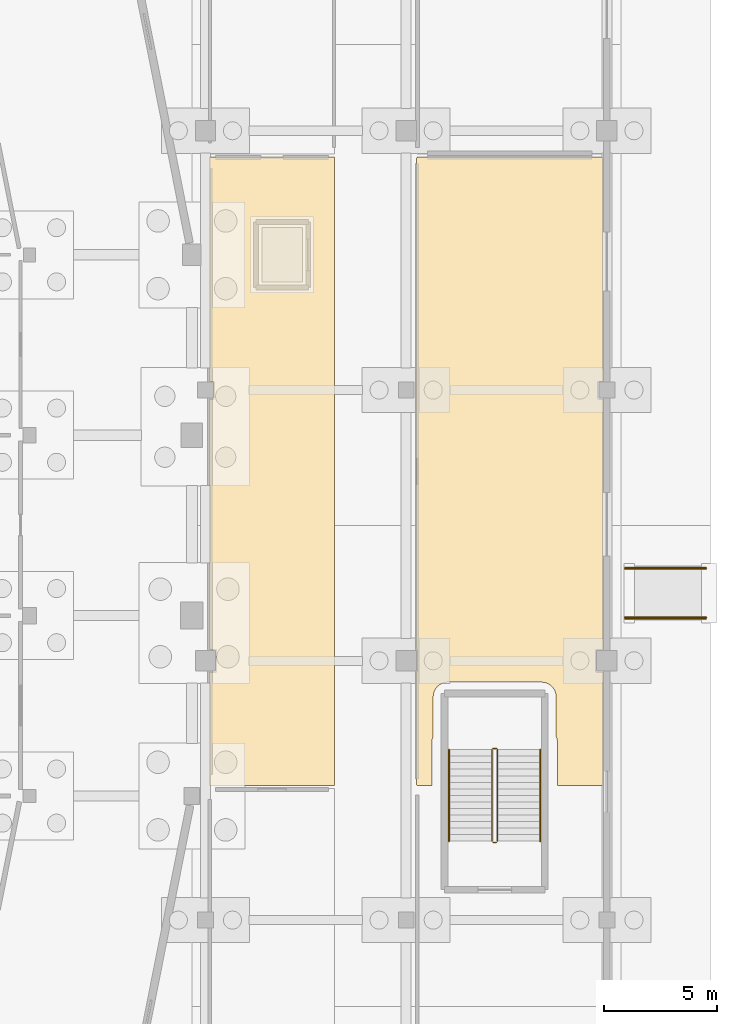
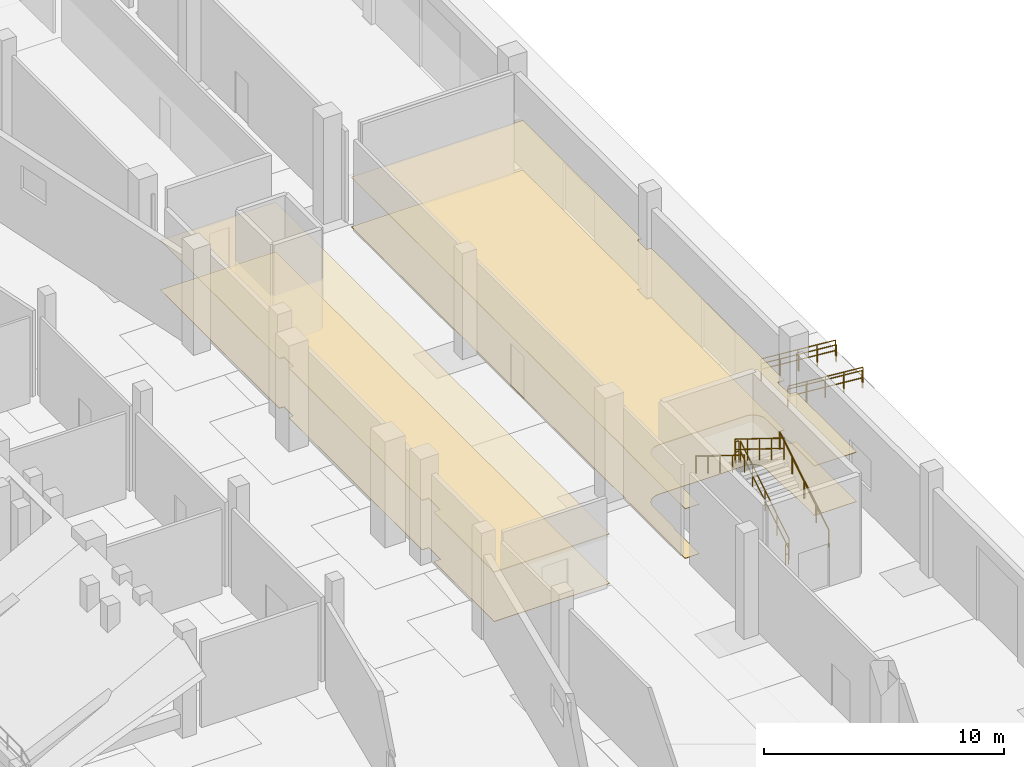
# One storey, part 61 of 68: 10 railings, 4 coverings.
"""IFC4 building model written with IfcOpenShell, lengths in metres."""

from ifc_helpers import new_model, si_unit, direction, frame, origin, origin_2d, place, context, subcontext, project, spatial, polyline, circle, outline, extrude, material, layer, layer_set, type_object, element, save


model = new_model("IFC4")

# Units and contexts
model_context = context("Model", 3, precision=1e-05, world=origin(), true_north=direction((0.0, 1.0)))
body_context = subcontext(model_context, "Body", "Model", "MODEL_VIEW")
ifc_project = project(units=[si_unit("LENGTHUNIT", "METRE"), si_unit("AREAUNIT", "SQUARE_METRE"), si_unit("VOLUMEUNIT", "CUBIC_METRE"), si_unit("PLANEANGLEUNIT", "RADIAN"), si_unit("MASSUNIT", "GRAM", prefix="KILO")], contexts=[model_context])

# Site, building, storey
site_placement = place(None, origin())
site = spatial("IfcSite", under=ifc_project, at=site_placement, CompositionType="ELEMENT")
building_placement = place(site_placement, origin())
building = spatial("IfcBuilding", under=site, at=building_placement, Name="Candeia Ridge Stadium", CompositionType="ELEMENT")
storey_placement = place(building_placement, origin())
storey = spatial("IfcBuildingStorey", under=building, at=storey_placement, Name="L00", CompositionType="ELEMENT", Elevation=0.0)

# Coverings
ifc_material_1 = material(Name="Perforated Acoustic Gypsum", Category="gypsum")
ifc_layer_1 = layer(ifc_material_1, 0.034912109375, Name="Perforated Acoustic Gypsum", Category="gypsum")
ifc_layer_set_1 = layer_set([ifc_layer_1], Name="Perforated Acoustic Gypsum")
covering_type_1 = type_object("IfcCoveringType", Name="Perforated Gypsum Acoustic Ceiling 35", PredefinedType="CEILING", material=ifc_layer_set_1)
covering_1_placement = place(storey_placement, frame((0.0, 0.0, 2.510009765625)))
element("IfcCovering", 1, at=covering_1_placement, inside=storey, type_object=covering_type_1, Name="Acoustic ceiling Indoor Sprint & Athlete Warm-Up Hall West Bay", PredefinedType="CEILING", context=body_context, shape_type="SweptSolid", body=[
    extrude(outline(polyline([(193.794189453125, 71.470703125), (193.791259765625, 71.47119140625), (193.78857421875, 71.472412109375), (193.785888671875, 71.473388671875), (193.783203125, 71.47509765625), (193.781005859375, 71.476806640625), (193.77880859375, 71.478759765625), (193.77685546875, 71.48095703125), (193.775146484375, 71.4833984375), (193.7734375, 71.48583984375), (193.772216796875, 71.488525390625), (193.771240234375, 71.4912109375), (193.7705078125, 71.494140625), (193.77001953125, 71.4970703125), (193.77001953125, 71.5), (193.77001953125, 76.510009765625), (194.090087890625, 76.510009765625), (194.090087890625, 77.489990234375), (193.77001953125, 77.489990234375), (193.77001953125, 88.610107421875), (193.989990234375, 88.610107421875), (193.989990234375, 89.389892578125), (193.77001953125, 89.389892578125), (193.77001953125, 99.300048828125), (193.77001953125, 99.302978515625), (193.7705078125, 99.305908203125), (193.771240234375, 99.30859375), (193.772216796875, 99.3115234375), (193.7734375, 99.314208984375), (193.775146484375, 99.316650390625), (193.77685546875, 99.319091796875), (193.77880859375, 99.3212890625), (193.781005859375, 99.3232421875), (193.783203125, 99.324951171875), (193.785888671875, 99.326416015625), (193.78857421875, 99.32763671875), (193.791259765625, 99.32861328125), (193.794189453125, 99.329345703125), (193.797119140625, 99.329833984375), (193.800048828125, 99.330078125), (199.300048828125, 99.330078125), (199.302978515625, 99.329833984375), (199.305908203125, 99.329345703125), (199.30859375, 99.32861328125), (199.3115234375, 99.32763671875), (199.314208984375, 99.326416015625), (199.316650390625, 99.324951171875), (199.319091796875, 99.3232421875), (199.3212890625, 99.3212890625), (199.3232421875, 99.319091796875), (199.324951171875, 99.316650390625), (199.326416015625, 99.314208984375), (199.32763671875, 99.3115234375), (199.32861328125, 99.30859375), (199.329345703125, 99.305908203125), (199.329833984375, 99.302978515625), (199.330078125, 99.300048828125), (199.330078125, 71.5), (199.329833984375, 71.4970703125), (199.329345703125, 71.494140625), (199.32861328125, 71.4912109375), (199.32763671875, 71.488525390625), (199.326416015625, 71.48583984375), (199.324951171875, 71.4833984375), (199.3232421875, 71.48095703125), (199.3212890625, 71.478759765625), (199.319091796875, 71.476806640625), (199.316650390625, 71.47509765625), (199.314208984375, 71.473388671875), (199.3115234375, 71.472412109375), (199.30859375, 71.47119140625), (199.305908203125, 71.470703125), (199.302978515625, 71.47021484375), (199.300048828125, 71.469970703125), (193.800048828125, 71.469970703125), (193.797119140625, 71.47021484375), (193.794189453125, 71.470703125)])), origin(), (0.0, 0.0, 1.0), 0.0400390625),
])
covering_2_placement = place(storey_placement, frame((0.0, 0.0, 2.510009765625)))
element("IfcCovering", 2, at=covering_2_placement, inside=storey, type_object=covering_type_1, Name="Acoustic ceiling Indoor Sprint & Athlete Warm-Up Hall", PredefinedType="CEILING", context=body_context, shape_type="SweptSolid", body=[
    extrude(outline(polyline([(202.994140625, 71.470703125), (202.9912109375, 71.47119140625), (202.988525390625, 71.472412109375), (202.98583984375, 71.473388671875), (202.9833984375, 71.47509765625), (202.98095703125, 71.476806640625), (202.978759765625, 71.478759765625), (202.976806640625, 71.48095703125), (202.97509765625, 71.4833984375), (202.973388671875, 71.48583984375), (202.972412109375, 71.488525390625), (202.97119140625, 71.4912109375), (202.970703125, 71.494140625), (202.97021484375, 71.4970703125), (202.969970703125, 71.5), (202.969970703125, 76.510009765625), (202.989990234375, 76.510009765625), (202.989990234375, 77.489990234375), (202.969970703125, 77.489990234375), (202.969970703125, 99.300048828125), (202.97021484375, 99.302978515625), (202.970703125, 99.305908203125), (202.97119140625, 99.30859375), (202.972412109375, 99.3115234375), (202.973388671875, 99.314208984375), (202.97509765625, 99.316650390625), (202.976806640625, 99.319091796875), (202.978759765625, 99.3212890625), (202.98095703125, 99.3232421875), (202.9833984375, 99.324951171875), (202.98583984375, 99.326416015625), (202.988525390625, 99.32763671875), (202.9912109375, 99.32861328125), (202.994140625, 99.329345703125), (202.9970703125, 99.329833984375), (203.0, 99.330078125), (211.199951171875, 99.330078125), (211.202880859375, 99.329833984375), (211.205810546875, 99.329345703125), (211.208740234375, 99.32861328125), (211.21142578125, 99.32763671875), (211.214111328125, 99.326416015625), (211.216796875, 99.324951171875), (211.218994140625, 99.3232421875), (211.22119140625, 99.3212890625), (211.22314453125, 99.319091796875), (211.224853515625, 99.316650390625), (211.2265625, 99.314208984375), (211.227783203125, 99.3115234375), (211.228759765625, 99.30859375), (211.2294921875, 99.305908203125), (211.22998046875, 99.302978515625), (211.22998046875, 99.300048828125), (211.22998046875, 89.389892578125), (211.010009765625, 89.389892578125), (211.010009765625, 88.610107421875), (211.22998046875, 88.610107421875), (211.22998046875, 77.489990234375), (210.909912109375, 77.489990234375), (210.909912109375, 76.510009765625), (211.22998046875, 76.510009765625), (211.22998046875, 71.5), (211.22998046875, 71.4970703125), (211.2294921875, 71.494140625), (211.228759765625, 71.4912109375), (211.227783203125, 71.488525390625), (211.2265625, 71.48583984375), (211.224853515625, 71.4833984375), (211.22314453125, 71.48095703125), (211.22119140625, 71.478759765625), (211.218994140625, 71.476806640625), (211.216796875, 71.47509765625), (211.214111328125, 71.473388671875), (211.21142578125, 71.472412109375), (211.208740234375, 71.47119140625), (211.205810546875, 71.470703125), (211.202880859375, 71.47021484375), (211.199951171875, 71.469970703125), (209.199951171875, 71.469970703125), (209.199951171875, 73.4599609375), (209.1982421875, 73.494384765625), (209.193359375, 73.5283203125), (209.184814453125, 73.5615234375), (209.17333984375, 73.593994140625), (209.15869140625, 73.625), (209.14990234375, 73.639404296875), (209.14990234375, 75.39990234375), (209.149658203125, 75.417236328125), (209.148193359375, 75.446533203125), (209.144775390625, 75.480712890625), (209.140380859375, 75.510009765625), (209.1337890625, 75.543701171875), (209.126708984375, 75.572021484375), (209.11669921875, 75.60498046875), (209.106689453125, 75.6328125), (209.093505859375, 75.664306640625), (209.0810546875, 75.691162109375), (209.064697265625, 75.721435546875), (209.049560546875, 75.74658203125), (209.030517578125, 75.775146484375), (209.012939453125, 75.798828125), (208.9912109375, 75.825439453125), (208.971435546875, 75.84716796875), (208.947265625, 75.87158203125), (208.92529296875, 75.89111328125), (208.898681640625, 75.9130859375), (208.875244140625, 75.9306640625), (208.8466796875, 75.94970703125), (208.8212890625, 75.96484375), (208.791015625, 75.98095703125), (208.764404296875, 75.99365234375), (208.732666015625, 76.006591796875), (208.705078125, 76.0166015625), (208.672119140625, 76.026611328125), (208.6435546875, 76.03369140625), (208.60986328125, 76.040283203125), (208.580810546875, 76.044921875), (208.546630859375, 76.048095703125), (208.51708984375, 76.049560546875), (208.5, 76.050048828125), (204.35009765625, 76.050048828125), (204.332763671875, 76.049560546875), (204.303466796875, 76.048095703125), (204.269287109375, 76.044921875), (204.239990234375, 76.040283203125), (204.206298828125, 76.03369140625), (204.177978515625, 76.026611328125), (204.14501953125, 76.0166015625), (204.1171875, 76.006591796875), (204.085693359375, 75.99365234375), (204.058837890625, 75.98095703125), (204.028564453125, 75.96484375), (204.00341796875, 75.94970703125), (203.974853515625, 75.9306640625), (203.951171875, 75.9130859375), (203.924560546875, 75.89111328125), (203.90283203125, 75.87158203125), (203.87841796875, 75.84716796875), (203.85888671875, 75.825439453125), (203.8369140625, 75.798828125), (203.8193359375, 75.775146484375), (203.80029296875, 75.74658203125), (203.78515625, 75.721435546875), (203.76904296875, 75.691162109375), (203.75634765625, 75.664306640625), (203.743408203125, 75.6328125), (203.7333984375, 75.60498046875), (203.723388671875, 75.572021484375), (203.71630859375, 75.543701171875), (203.709716796875, 75.510009765625), (203.705078125, 75.480712890625), (203.701904296875, 75.446533203125), (203.700439453125, 75.417236328125), (203.699951171875, 75.39990234375), (203.699951171875, 73.639404296875), (203.69140625, 73.625), (203.676513671875, 73.593994140625), (203.6650390625, 73.5615234375), (203.65673828125, 73.5283203125), (203.651611328125, 73.494384765625), (203.64990234375, 73.4599609375), (203.64990234375, 71.469970703125), (203.0, 71.469970703125), (202.9970703125, 71.47021484375), (202.994140625, 71.470703125)])), origin(), (0.0, 0.0, 1.0), 0.0400390625),
])
ifc_material_2 = material(Name="Vulcanized EPDM Sports Flooring", Category="wood")
ifc_layer_2 = layer(ifc_material_2, 0.02001953125, Name="Vulcanized EPDM Sports Flooring", Category="wood")
ifc_layer_set_2 = layer_set([ifc_layer_2], Name="Vulcanized EPDM Sports Flooring")
covering_type_2 = type_object("IfcCoveringType", Name="Sports Rubber Athlete Flooring 20", PredefinedType="FLOORING", material=ifc_layer_set_2)
covering_3_placement = place(storey_placement, origin())
element("IfcCovering", 3, at=covering_3_placement, inside=storey, type_object=covering_type_2, Name="Interior finish flooring Indoor Sprint & Athlete Warm-Up Hall West Bay", PredefinedType="FLOORING", context=body_context, shape_type="SweptSolid", body=[
    extrude(outline(polyline([(193.794189453125, 71.470703125), (193.791259765625, 71.47119140625), (193.78857421875, 71.472412109375), (193.785888671875, 71.473388671875), (193.783203125, 71.47509765625), (193.781005859375, 71.476806640625), (193.77880859375, 71.478759765625), (193.77685546875, 71.48095703125), (193.775146484375, 71.4833984375), (193.7734375, 71.48583984375), (193.772216796875, 71.488525390625), (193.771240234375, 71.4912109375), (193.7705078125, 71.494140625), (193.77001953125, 71.4970703125), (193.77001953125, 71.5), (193.77001953125, 76.510009765625), (194.090087890625, 76.510009765625), (194.090087890625, 77.489990234375), (193.77001953125, 77.489990234375), (193.77001953125, 88.610107421875), (193.989990234375, 88.610107421875), (193.989990234375, 89.389892578125), (193.77001953125, 89.389892578125), (193.77001953125, 99.300048828125), (193.77001953125, 99.302978515625), (193.7705078125, 99.305908203125), (193.771240234375, 99.30859375), (193.772216796875, 99.3115234375), (193.7734375, 99.314208984375), (193.775146484375, 99.316650390625), (193.77685546875, 99.319091796875), (193.77880859375, 99.3212890625), (193.781005859375, 99.3232421875), (193.783203125, 99.324951171875), (193.785888671875, 99.326416015625), (193.78857421875, 99.32763671875), (193.791259765625, 99.32861328125), (193.794189453125, 99.329345703125), (193.797119140625, 99.329833984375), (193.800048828125, 99.330078125), (199.300048828125, 99.330078125), (199.302978515625, 99.329833984375), (199.305908203125, 99.329345703125), (199.30859375, 99.32861328125), (199.3115234375, 99.32763671875), (199.314208984375, 99.326416015625), (199.316650390625, 99.324951171875), (199.319091796875, 99.3232421875), (199.3212890625, 99.3212890625), (199.3232421875, 99.319091796875), (199.324951171875, 99.316650390625), (199.326416015625, 99.314208984375), (199.32763671875, 99.3115234375), (199.32861328125, 99.30859375), (199.329345703125, 99.305908203125), (199.329833984375, 99.302978515625), (199.330078125, 99.300048828125), (199.330078125, 71.5), (199.329833984375, 71.4970703125), (199.329345703125, 71.494140625), (199.32861328125, 71.4912109375), (199.32763671875, 71.488525390625), (199.326416015625, 71.48583984375), (199.324951171875, 71.4833984375), (199.3232421875, 71.48095703125), (199.3212890625, 71.478759765625), (199.319091796875, 71.476806640625), (199.316650390625, 71.47509765625), (199.314208984375, 71.473388671875), (199.3115234375, 71.472412109375), (199.30859375, 71.47119140625), (199.305908203125, 71.470703125), (199.302978515625, 71.47021484375), (199.300048828125, 71.469970703125), (193.800048828125, 71.469970703125), (193.797119140625, 71.47021484375), (193.794189453125, 71.470703125)])), origin(), (0.0, 0.0, 1.0), 0.02001953125),
])
covering_4_placement = place(storey_placement, origin())
element("IfcCovering", 4, at=covering_4_placement, inside=storey, type_object=covering_type_2, Name="Interior finish flooring Indoor Sprint & Athlete Warm-Up Hall", PredefinedType="FLOORING", context=body_context, shape_type="SweptSolid", body=[
    extrude(outline(polyline([(202.994140625, 71.470703125), (202.9912109375, 71.47119140625), (202.988525390625, 71.472412109375), (202.98583984375, 71.473388671875), (202.9833984375, 71.47509765625), (202.98095703125, 71.476806640625), (202.978759765625, 71.478759765625), (202.976806640625, 71.48095703125), (202.97509765625, 71.4833984375), (202.973388671875, 71.48583984375), (202.972412109375, 71.488525390625), (202.97119140625, 71.4912109375), (202.970703125, 71.494140625), (202.97021484375, 71.4970703125), (202.969970703125, 71.5), (202.969970703125, 76.510009765625), (202.989990234375, 76.510009765625), (202.989990234375, 77.489990234375), (202.969970703125, 77.489990234375), (202.969970703125, 99.300048828125), (202.97021484375, 99.302978515625), (202.970703125, 99.305908203125), (202.97119140625, 99.30859375), (202.972412109375, 99.3115234375), (202.973388671875, 99.314208984375), (202.97509765625, 99.316650390625), (202.976806640625, 99.319091796875), (202.978759765625, 99.3212890625), (202.98095703125, 99.3232421875), (202.9833984375, 99.324951171875), (202.98583984375, 99.326416015625), (202.988525390625, 99.32763671875), (202.9912109375, 99.32861328125), (202.994140625, 99.329345703125), (202.9970703125, 99.329833984375), (203.0, 99.330078125), (211.199951171875, 99.330078125), (211.202880859375, 99.329833984375), (211.205810546875, 99.329345703125), (211.208740234375, 99.32861328125), (211.21142578125, 99.32763671875), (211.214111328125, 99.326416015625), (211.216796875, 99.324951171875), (211.218994140625, 99.3232421875), (211.22119140625, 99.3212890625), (211.22314453125, 99.319091796875), (211.224853515625, 99.316650390625), (211.2265625, 99.314208984375), (211.227783203125, 99.3115234375), (211.228759765625, 99.30859375), (211.2294921875, 99.305908203125), (211.22998046875, 99.302978515625), (211.22998046875, 99.300048828125), (211.22998046875, 89.389892578125), (211.010009765625, 89.389892578125), (211.010009765625, 88.610107421875), (211.22998046875, 88.610107421875), (211.22998046875, 77.489990234375), (210.909912109375, 77.489990234375), (210.909912109375, 76.510009765625), (211.22998046875, 76.510009765625), (211.22998046875, 71.5), (211.22998046875, 71.4970703125), (211.2294921875, 71.494140625), (211.228759765625, 71.4912109375), (211.227783203125, 71.488525390625), (211.2265625, 71.48583984375), (211.224853515625, 71.4833984375), (211.22314453125, 71.48095703125), (211.22119140625, 71.478759765625), (211.218994140625, 71.476806640625), (211.216796875, 71.47509765625), (211.214111328125, 71.473388671875), (211.21142578125, 71.472412109375), (211.208740234375, 71.47119140625), (211.205810546875, 71.470703125), (211.202880859375, 71.47021484375), (211.199951171875, 71.469970703125), (209.199951171875, 71.469970703125), (209.199951171875, 73.4599609375), (209.1982421875, 73.494384765625), (209.193359375, 73.5283203125), (209.184814453125, 73.5615234375), (209.17333984375, 73.593994140625), (209.15869140625, 73.625), (209.14990234375, 73.639404296875), (209.14990234375, 75.39990234375), (209.149658203125, 75.417236328125), (209.148193359375, 75.446533203125), (209.144775390625, 75.480712890625), (209.140380859375, 75.510009765625), (209.1337890625, 75.543701171875), (209.126708984375, 75.572021484375), (209.11669921875, 75.60498046875), (209.106689453125, 75.6328125), (209.093505859375, 75.664306640625), (209.0810546875, 75.691162109375), (209.064697265625, 75.721435546875), (209.049560546875, 75.74658203125), (209.030517578125, 75.775146484375), (209.012939453125, 75.798828125), (208.9912109375, 75.825439453125), (208.971435546875, 75.84716796875), (208.947265625, 75.87158203125), (208.92529296875, 75.89111328125), (208.898681640625, 75.9130859375), (208.875244140625, 75.9306640625), (208.8466796875, 75.94970703125), (208.8212890625, 75.96484375), (208.791015625, 75.98095703125), (208.764404296875, 75.99365234375), (208.732666015625, 76.006591796875), (208.705078125, 76.0166015625), (208.672119140625, 76.026611328125), (208.6435546875, 76.03369140625), (208.60986328125, 76.040283203125), (208.580810546875, 76.044921875), (208.546630859375, 76.048095703125), (208.51708984375, 76.049560546875), (208.5, 76.050048828125), (204.35009765625, 76.050048828125), (204.332763671875, 76.049560546875), (204.303466796875, 76.048095703125), (204.269287109375, 76.044921875), (204.239990234375, 76.040283203125), (204.206298828125, 76.03369140625), (204.177978515625, 76.026611328125), (204.14501953125, 76.0166015625), (204.1171875, 76.006591796875), (204.085693359375, 75.99365234375), (204.058837890625, 75.98095703125), (204.028564453125, 75.96484375), (204.00341796875, 75.94970703125), (203.974853515625, 75.9306640625), (203.951171875, 75.9130859375), (203.924560546875, 75.89111328125), (203.90283203125, 75.87158203125), (203.87841796875, 75.84716796875), (203.85888671875, 75.825439453125), (203.8369140625, 75.798828125), (203.8193359375, 75.775146484375), (203.80029296875, 75.74658203125), (203.78515625, 75.721435546875), (203.76904296875, 75.691162109375), (203.75634765625, 75.664306640625), (203.743408203125, 75.6328125), (203.7333984375, 75.60498046875), (203.723388671875, 75.572021484375), (203.71630859375, 75.543701171875), (203.709716796875, 75.510009765625), (203.705078125, 75.480712890625), (203.701904296875, 75.446533203125), (203.700439453125, 75.417236328125), (203.699951171875, 75.39990234375), (203.699951171875, 73.639404296875), (203.69140625, 73.625), (203.676513671875, 73.593994140625), (203.6650390625, 73.5615234375), (203.65673828125, 73.5283203125), (203.651611328125, 73.494384765625), (203.64990234375, 73.4599609375), (203.64990234375, 71.469970703125), (203.0, 71.469970703125), (202.9970703125, 71.47021484375), (202.994140625, 71.470703125)])), origin(), (0.0, 0.0, 1.0), 0.02001953125),
])

# Railings
ifc_material_3 = material(Name="Brushed Stainless Steel", Category="steel")
ifc_layer_3 = layer(ifc_material_3, 0.048095703125, Name="Brushed Stainless Steel", Category="steel")
ifc_layer_set_3 = layer_set([ifc_layer_3], Name="Brushed Stainless Steel")
railing_type_1 = type_object("IfcRailingType", Name="Stair Wall & Flight Handrail 900", PredefinedType="HANDRAIL", material=ifc_layer_set_3)
for number, where, name in (
    (5, (215.800048828125, 81.080078125, -0.300048828125), "Accessible ramp handrail RMP-E1-L"),
    (6, (215.800048828125, 78.919921875, -0.300048828125), "Accessible ramp handrail RMP-E1-R"),
):
    element("IfcRailing", number, at=place(storey_placement, frame(where)), inside=storey, type_object=railing_type_1, Name=name, PredefinedType="HANDRAIL", context=body_context, shape_type="SweptSolid", body=[
        extrude(circle(Radius=0.02392578125, at=origin_2d()), frame((0.0, 0.0, 0.8759765625), z_axis=(-0.996544826035, 0.0, 0.083056665618), x_axis=(0.0, -1.0, 0.0)), (0.0, 0.0, 1.0), 3.612548828125),
        extrude(circle(Radius=0.02099609375, at=origin_2d()), origin(), (0.0, 0.0, 1.0), 0.851806640625),
        extrude(circle(Radius=0.02099609375, at=origin_2d()), frame((-0.89990234375, 0.0, 0.074951171875)), (0.0, 0.0, 1.0), 0.851806640625),
        extrude(circle(Radius=0.02099609375, at=origin_2d()), frame((-1.800048828125, 0.0, 0.14990234375)), (0.0, 0.0, 1.0), 0.851806640625),
        extrude(circle(Radius=0.02099609375, at=origin_2d()), frame((-2.7001953125, 0.0, 0.22509765625)), (0.0, 0.0, 1.0), 0.851806640625),
        extrude(circle(Radius=0.02099609375, at=origin_2d()), frame((-3.60009765625, 0.0, 0.300048828125)), (0.0, 0.0, 1.0), 0.851806640625),
    ])
railing_1_placement = place(storey_placement, frame((208.449951171875, 69.0, 0.179931640625)))
element("IfcRailing", 7, at=railing_1_placement, inside=storey, type_object=railing_type_1, Name="L00 ST16 stair handrail 1", PredefinedType="HANDRAIL", context=body_context, shape_type="SweptSolid", body=[
    extrude(circle(Radius=0.02392578125, at=origin_2d()), frame((0.0, 0.0, 0.8759765625), z_axis=(0.0, 0.849641744969, 0.527360318194), x_axis=(-1.0, 0.0, 0.0)), (0.0, 0.0, 1.0), 4.778564453125),
    extrude(circle(Radius=0.02099609375, at=origin_2d()), origin(), (0.0, 0.0, 1.0), 0.851806640625),
    extrude(circle(Radius=0.02099609375, at=origin_2d()), frame((0.0, 1.01513671875, 0.6298828125)), (0.0, 0.0, 1.0), 0.851806640625),
    extrude(circle(Radius=0.02099609375, at=origin_2d()), frame((0.0, 2.030029296875, 1.260009765625)), (0.0, 0.0, 1.0), 0.851806640625),
    extrude(circle(Radius=0.02099609375, at=origin_2d()), frame((0.0, 3.044921875, 1.89013671875)), (0.0, 0.0, 1.0), 0.851806640625),
    extrude(circle(Radius=0.02099609375, at=origin_2d()), frame((0.0, 4.06005859375, 2.52001953125)), (0.0, 0.0, 1.0), 0.851806640625),
])
railing_2_placement = place(storey_placement, frame((204.39990234375, 73.06005859375, 2.8798828125)))
element("IfcRailing", 8, at=railing_2_placement, inside=storey, type_object=railing_type_1, Name="L00 ST16 stair handrail 2", PredefinedType="HANDRAIL", context=body_context, shape_type="SweptSolid", body=[
    extrude(circle(Radius=0.02392578125, at=origin_2d()), frame((0.0, 0.0, 0.8759765625), z_axis=(0.0, -0.849641744969, 0.527360318194), x_axis=(1.0, 0.0, 0.0)), (0.0, 0.0, 1.0), 4.778564453125),
    extrude(circle(Radius=0.02099609375, at=origin_2d()), origin(), (0.0, 0.0, 1.0), 0.851806640625),
    extrude(circle(Radius=0.02099609375, at=origin_2d()), frame((0.0, -1.01513671875, 0.6298828125)), (0.0, 0.0, 1.0), 0.851806640625),
    extrude(circle(Radius=0.02099609375, at=origin_2d()), frame((0.0, -2.030029296875, 1.260009765625)), (0.0, 0.0, 1.0), 0.851806640625),
    extrude(circle(Radius=0.02099609375, at=origin_2d()), frame((0.0, -3.044921875, 1.89013671875)), (0.0, 0.0, 1.0), 0.851806640625),
    extrude(circle(Radius=0.02099609375, at=origin_2d()), frame((0.0, -4.06005859375, 2.52001953125)), (0.0, 0.0, 1.0), 0.851806640625),
])
ifc_material_4 = material(Name="Galvanized Powder-Coated Steel", Category="steel")
ifc_layer_4 = layer(ifc_material_4, 0.06005859375, Name="Galvanized Powder-Coated Steel", Category="steel")
ifc_layer_set_4 = layer_set([ifc_layer_4], Name="Galvanized Powder-Coated Steel")
railing_type_2 = type_object("IfcRailingType", Name="Stair Well Guardrail 1100", PredefinedType="GUARDRAIL", material=ifc_layer_set_4)
railing_3_placement = place(storey_placement, frame((206.550048828125, 69.0, 0.179931640625)))
element("IfcRailing", 9, at=railing_3_placement, inside=storey, type_object=railing_type_2, Name="L00 ST16 stair guard 1", PredefinedType="GUARDRAIL", context=body_context, shape_type="SweptSolid", body=[
    extrude(circle(Radius=0.02392578125, at=origin_2d()), frame((0.0, 0.0, 1.076171875), z_axis=(0.0, 0.849641744969, 0.527360318194), x_axis=(-1.0, 0.0, 0.0)), (0.0, 0.0, 1.0), 4.778564453125),
    extrude(circle(Radius=0.02392578125, at=origin_2d()), frame((0.0, 0.0, 0.550048828125), z_axis=(0.0, 0.849641744969, 0.527360318194), x_axis=(-1.0, 0.0, 0.0)), (0.0, 0.0, 1.0), 4.778564453125),
    extrude(circle(Radius=0.02099609375, at=origin_2d()), origin(), (0.0, 0.0, 1.0), 1.052001953125),
    extrude(circle(Radius=0.02099609375, at=origin_2d()), frame((0.0, 1.01513671875, 0.6298828125)), (0.0, 0.0, 1.0), 1.052001953125),
    extrude(circle(Radius=0.02099609375, at=origin_2d()), frame((0.0, 2.030029296875, 1.260009765625)), (0.0, 0.0, 1.0), 1.052001953125),
    extrude(circle(Radius=0.02099609375, at=origin_2d()), frame((0.0, 3.044921875, 1.89013671875)), (0.0, 0.0, 1.0), 1.052001953125),
    extrude(circle(Radius=0.02099609375, at=origin_2d()), frame((0.0, 4.06005859375, 2.52001953125)), (0.0, 0.0, 1.0), 1.052001953125),
])
railing_4_placement = place(storey_placement, frame((206.5, 73.110107421875, 2.699951171875)))
element("IfcRailing", 10, at=railing_4_placement, inside=storey, type_object=railing_type_2, Name="L00 ST16 stair guard 2", PredefinedType="GUARDRAIL", context=body_context, shape_type="SweptSolid", body=[
    extrude(circle(Radius=0.02392578125, at=origin_2d()), frame((0.0, 0.0, 1.076171875), z_axis=(-1.0, 0.0, 0.0), x_axis=(0.0, -1.0, 0.0)), (0.0, 0.0, 1.0), 0.14990234375),
    extrude(circle(Radius=0.02392578125, at=origin_2d()), frame((0.0, 0.0, 0.550048828125), z_axis=(-1.0, 0.0, 0.0), x_axis=(0.0, -1.0, 0.0)), (0.0, 0.0, 1.0), 0.14990234375),
    extrude(circle(Radius=0.02099609375, at=origin_2d()), origin(), (0.0, 0.0, 1.0), 1.052001953125),
    extrude(circle(Radius=0.02099609375, at=origin_2d()), frame((-0.14990234375, 0.0, 0.0)), (0.0, 0.0, 1.0), 1.052001953125),
])
railing_5_placement = place(storey_placement, frame((206.300048828125, 73.06005859375, 2.8798828125)))
element("IfcRailing", 11, at=railing_5_placement, inside=storey, type_object=railing_type_2, Name="L00 ST16 stair guard 3", PredefinedType="GUARDRAIL", context=body_context, shape_type="SweptSolid", body=[
    extrude(circle(Radius=0.02392578125, at=origin_2d()), frame((0.0, 0.0, 1.076171875), z_axis=(0.0, -0.849641744969, 0.527360318194), x_axis=(1.0, 0.0, 0.0)), (0.0, 0.0, 1.0), 4.778564453125),
    extrude(circle(Radius=0.02392578125, at=origin_2d()), frame((0.0, 0.0, 0.550048828125), z_axis=(0.0, -0.849641744969, 0.527360318194), x_axis=(1.0, 0.0, 0.0)), (0.0, 0.0, 1.0), 4.778564453125),
    extrude(circle(Radius=0.02099609375, at=origin_2d()), origin(), (0.0, 0.0, 1.0), 1.052001953125),
    extrude(circle(Radius=0.02099609375, at=origin_2d()), frame((0.0, -1.01513671875, 0.6298828125)), (0.0, 0.0, 1.0), 1.052001953125),
    extrude(circle(Radius=0.02099609375, at=origin_2d()), frame((0.0, -2.030029296875, 1.260009765625)), (0.0, 0.0, 1.0), 1.052001953125),
    extrude(circle(Radius=0.02099609375, at=origin_2d()), frame((0.0, -3.044921875, 1.89013671875)), (0.0, 0.0, 1.0), 1.052001953125),
    extrude(circle(Radius=0.02099609375, at=origin_2d()), frame((0.0, -4.06005859375, 2.52001953125)), (0.0, 0.0, 1.0), 1.052001953125),
])
railing_6_placement = place(storey_placement, frame((206.5, 68.949951171875, 0.0)))
element("IfcRailing", 12, at=railing_6_placement, inside=storey, type_object=railing_type_2, Name="L00 ST16 stair guard 4", PredefinedType="GUARDRAIL", context=body_context, shape_type="SweptSolid", body=[
    extrude(circle(Radius=0.02392578125, at=origin_2d()), frame((0.0, 0.0, 1.076171875), z_axis=(-1.0, 0.0, 0.0), x_axis=(0.0, -1.0, 0.0)), (0.0, 0.0, 1.0), 0.14990234375),
    extrude(circle(Radius=0.02392578125, at=origin_2d()), frame((0.0, 0.0, 0.550048828125), z_axis=(-1.0, 0.0, 0.0), x_axis=(0.0, -1.0, 0.0)), (0.0, 0.0, 1.0), 0.14990234375),
    extrude(circle(Radius=0.02099609375, at=origin_2d()), origin(), (0.0, 0.0, 1.0), 1.052001953125),
    extrude(circle(Radius=0.02099609375, at=origin_2d()), frame((-0.14990234375, 0.0, 0.0)), (0.0, 0.0, 1.0), 1.052001953125),
])
ifc_layer_5 = layer(ifc_material_4, 0.070068359375, Name="Galvanized Powder-Coated Steel", Category="steel")
ifc_layer_set_5 = layer_set([ifc_layer_5], Name="Galvanized Powder-Coated Steel")
railing_type_3 = type_object("IfcRailingType", Name="Vomitory Portal Guardrail 1100", PredefinedType="GUARDRAIL", material=ifc_layer_set_5)
for number, where, name in (
    (13, (215.800048828125, 81.139892578125, -0.300048828125), "Accessible ramp guardrail RMP-E1-L"),
    (14, (215.800048828125, 78.860107421875, -0.300048828125), "Accessible ramp guardrail RMP-E1-R"),
):
    element("IfcRailing", number, at=place(storey_placement, frame(where)), inside=storey, type_object=railing_type_3, Name=name, PredefinedType="GUARDRAIL", context=body_context, shape_type="SweptSolid", body=[
        extrude(circle(Radius=0.02392578125, at=origin_2d()), frame((0.0, 0.0, 1.076171875), z_axis=(-0.996544826035, 0.0, 0.083056665618), x_axis=(0.0, -1.0, 0.0)), (0.0, 0.0, 1.0), 3.612548828125),
        extrude(circle(Radius=0.02392578125, at=origin_2d()), frame((0.0, 0.0, 0.550048828125), z_axis=(-0.996544826035, 0.0, 0.083056665618), x_axis=(0.0, -1.0, 0.0)), (0.0, 0.0, 1.0), 3.612548828125),
        extrude(circle(Radius=0.02099609375, at=origin_2d()), origin(), (0.0, 0.0, 1.0), 1.052001953125),
        extrude(circle(Radius=0.02099609375, at=origin_2d()), frame((-0.89990234375, 0.0, 0.074951171875)), (0.0, 0.0, 1.0), 1.052001953125),
        extrude(circle(Radius=0.02099609375, at=origin_2d()), frame((-1.800048828125, 0.0, 0.14990234375)), (0.0, 0.0, 1.0), 1.052001953125),
        extrude(circle(Radius=0.02099609375, at=origin_2d()), frame((-2.7001953125, 0.0, 0.22509765625)), (0.0, 0.0, 1.0), 1.052001953125),
        extrude(circle(Radius=0.02099609375, at=origin_2d()), frame((-3.60009765625, 0.0, 0.300048828125)), (0.0, 0.0, 1.0), 1.052001953125),
    ])

save(model, "model.ifc")
